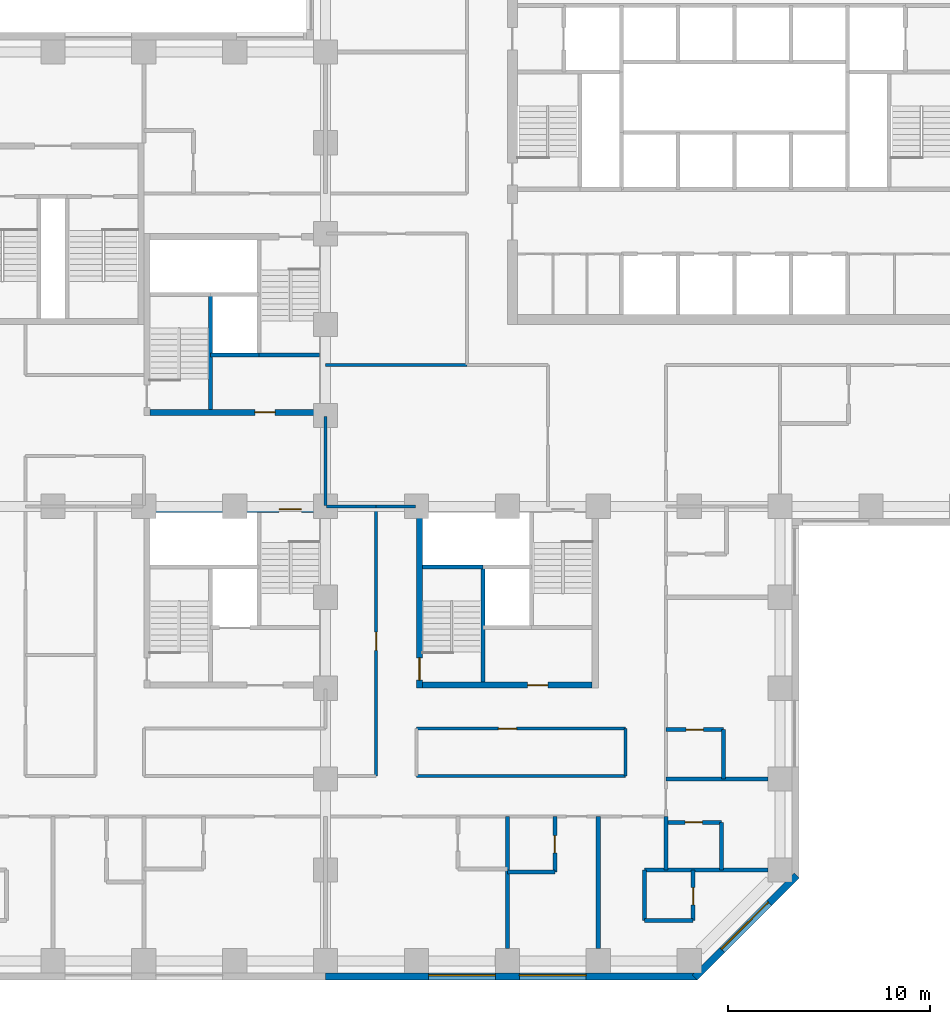
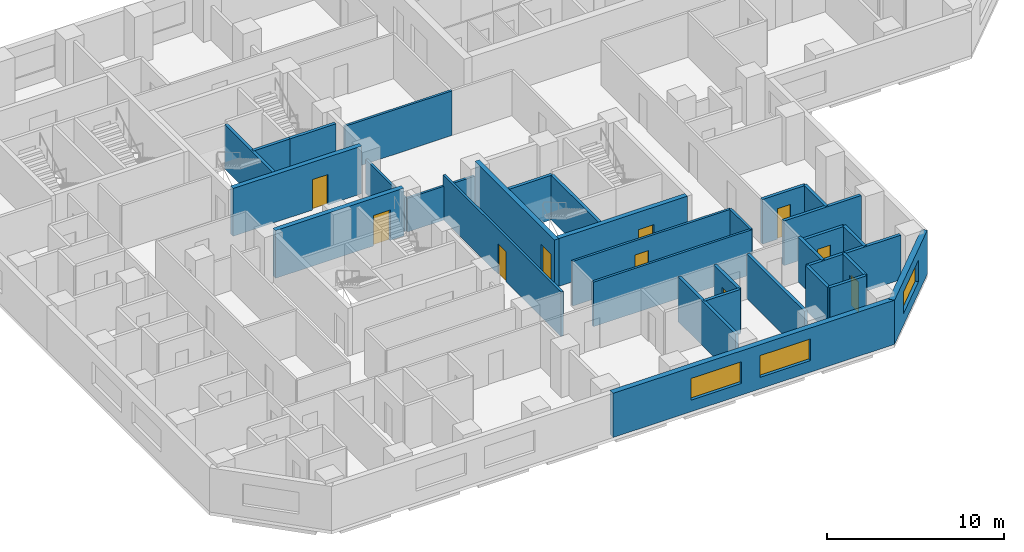
# One storey, part 4 of 12: 33 walls, 10 doors, 3 windows, 13 openings.
"""IFC4 building model written with IfcOpenShell, lengths in metres."""

from ifc_helpers import new_model, si_unit, direction, frame, frame_2d, origin, place, context, subcontext, project, spatial, rectangle, extrude, material, layer, layer_set, constituent, constituent_set, type_object, element, fill, save


model = new_model("IFC4")

# Units and contexts
model_context = context("Model", 3, precision=1e-05, world=origin(), true_north=direction((0.0, 1.0)))
body_context = subcontext(model_context, "Body", "Model", "MODEL_VIEW")
ifc_project = project(units=[si_unit("LENGTHUNIT", "METRE"), si_unit("AREAUNIT", "SQUARE_METRE"), si_unit("VOLUMEUNIT", "CUBIC_METRE"), si_unit("PLANEANGLEUNIT", "RADIAN"), si_unit("MASSUNIT", "GRAM", prefix="KILO")], contexts=[model_context])

# Site, building, storey
site_placement = place(None, origin())
site = spatial("IfcSite", under=ifc_project, at=site_placement, CompositionType="ELEMENT")
building_placement = place(site_placement, origin())
building = spatial("IfcBuilding", under=site, at=building_placement, Name="Quoin Convention Tower", CompositionType="ELEMENT")
storey_placement = place(building_placement, frame((0.0, 0.0, 56.10009765625)))
storey = spatial("IfcBuildingStorey", under=building, at=storey_placement, Name="L14", CompositionType="ELEMENT", Elevation=56.10009765625)

# Wall, openings, windows
ifc_material_1 = material(Name="Brick masonry", Category="masonry")
ifc_layer_1 = layer(ifc_material_1, 0.35009765625)
ifc_layer_set_1 = layer_set([ifc_layer_1], Name="Brick masonry")
wall_type_1 = type_object("IfcWallType", Name="Brick facade wall", PredefinedType="STANDARD", material=ifc_layer_set_1)
wall_1_placement = place(storey_placement, frame((36.0, 17.22509765625, 0.0), z_axis=(0.0, 0.0, 1.0), x_axis=(1.0, 0.0, 0.0)))
wall_1 = element("IfcWall", 1, at=wall_1_placement, inside=storey, type_object=wall_type_1, Name="fw-L14-36000_18000", PredefinedType="STANDARD", context=body_context, shape_type="SweptSolid", body=[
    extrude(rectangle(XDim=18.3935546875, YDim=0.35009765625, at=frame_2d((9.19677734375, 0.0))), origin(), (0.0, 0.0, 1.0), 3.054931640625),
])
opening_1_placement = place(wall_1_placement, frame((5.10009765625, 0.0, 0.800048828125)))
opening_1 = element("IfcOpeningElement", 2, at=opening_1_placement, cuts=wall_1, Name="Opening W-01", PredefinedType="OPENING", context=body_context, shape_type="SweptSolid", body=[
    extrude(rectangle(XDim=3.300048828125, YDim=1.5, at=frame_2d((1.64990234375, 0.75))), frame((0.0, 0.18505859375, 0.0), z_axis=(0.0, -1.0, 0.0), x_axis=(1.0, 0.0, 0.0)), (0.0, 0.0, 1.0), 0.3701171875),
])
opening_2_placement = place(wall_1_placement, frame((9.60009765625, 0.0, 0.800048828125)))
opening_2 = element("IfcOpeningElement", 3, at=opening_2_placement, cuts=wall_1, Name="Opening W-01", PredefinedType="OPENING", context=body_context, shape_type="SweptSolid", body=[
    extrude(rectangle(XDim=3.300048828125, YDim=1.5, at=frame_2d((1.64990234375, 0.75))), frame((0.0, 0.18505859375, 0.0), z_axis=(0.0, -1.0, 0.0), x_axis=(1.0, 0.0, 0.0)), (0.0, 0.0, 1.0), 0.3701171875),
])
ifc_material_2 = material(Name="Aluminium", Category="aluminium")
ifc_constituent_1 = constituent(ifc_material_2, Name="Frame")
ifc_material_3 = material(Name="Insulated glass", Category="glass")
ifc_constituent_2 = constituent(ifc_material_3, Name="Glazing")
ifc_constituent_set = constituent_set(constituents=[ifc_constituent_1, ifc_constituent_2], Name="Aluminium")
window_type = type_object("IfcWindowType", Name="Hotel strip window", PartitioningType="DOUBLE_PANEL_VERTICAL", PredefinedType="WINDOW", material=ifc_constituent_set)
window_1_placement = place(opening_1_placement, origin())
window_1 = element("IfcWindow", 4, at=window_1_placement, inside=storey, type_object=window_type, Name="win-L14-42750_17225", OverallHeight=1.5, OverallWidth=3.300048828125, PartitioningType="SINGLE_PANEL", PredefinedType="WINDOW", context=body_context, shape_type="SweptSolid", body=[
    extrude(rectangle(XDim=3.300048828125, YDim=1.5, at=frame_2d((1.64990234375, 0.75))), frame((0.0, 0.0849609375, 0.0), z_axis=(0.0, -1.0, 0.0), x_axis=(1.0, 0.0, 0.0)), (0.0, 0.0, 1.0), 0.06005859375),
])
fill(opening_1, window_1)
window_2_placement = place(opening_2_placement, origin())
window_2 = element("IfcWindow", 5, at=window_2_placement, inside=storey, type_object=window_type, Name="win-L14-47250_17225", OverallHeight=1.5, OverallWidth=3.300048828125, PartitioningType="SINGLE_PANEL", PredefinedType="WINDOW", context=body_context, shape_type="SweptSolid", body=[
    extrude(rectangle(XDim=3.300048828125, YDim=1.5, at=frame_2d((1.64990234375, 0.75))), frame((0.0, 0.0849609375, 0.0), z_axis=(0.0, -1.0, 0.0), x_axis=(1.0, 0.0, 0.0)), (0.0, 0.0, 1.0), 0.06005859375),
])
fill(opening_2, window_2)

# Wall, opening, window
wall_2_placement = place(storey_placement, frame((54.269775390625, 17.173583984375, 0.0), z_axis=(0.0, 0.0, 1.0), x_axis=(0.707106781187, 0.707106781187, 0.0)))
wall_2 = element("IfcWall", 6, at=wall_2_placement, inside=storey, type_object=wall_type_1, Name="fw-L14-54000_18000", PredefinedType="STANDARD", context=body_context, shape_type="SweptSolid", body=[
    extrude(rectangle(XDim=7.151123046875, YDim=0.35009765625, at=frame_2d((3.57568359375, 0.0))), origin(), (0.0, 0.0, 1.0), 3.054931640625),
])
opening_3_placement = place(wall_2_placement, frame((1.925537109375, 0.0, 0.800048828125)))
opening_3 = element("IfcOpeningElement", 7, at=opening_3_placement, cuts=wall_2, Name="Opening W-01", PredefinedType="OPENING", context=body_context, shape_type="SweptSolid", body=[
    extrude(rectangle(XDim=3.300048828125, YDim=1.5, at=frame_2d((1.64990234375, 0.75))), frame((0.0, 0.18505859375, 0.0), z_axis=(0.0, -1.0, 0.0), x_axis=(1.0, 0.0, 0.0)), (0.0, 0.0, 1.0), 0.3701171875),
])
window_3_placement = place(opening_3_placement, origin())
window_3 = element("IfcWindow", 8, at=window_3_placement, inside=storey, type_object=window_type, Name="win-L14-56798_19702", OverallHeight=1.5, OverallWidth=3.300048828125, PartitioningType="SINGLE_PANEL", PredefinedType="WINDOW", context=body_context, shape_type="SweptSolid", body=[
    extrude(rectangle(XDim=3.300048828125, YDim=1.5, at=frame_2d((1.64990234375, 0.75))), frame((0.0, 0.0849609375, 0.0), z_axis=(0.0, -1.0, 0.0), x_axis=(1.0, 0.0, 0.0)), (0.0, 0.0, 1.0), 0.06005859375),
])
fill(opening_3, window_3)

# Walls
ifc_material_4 = material(Name="Concrete C50", Category="concrete")
ifc_layer_2 = layer(ifc_material_4, 0.199951171875)
ifc_layer_set_2 = layer_set([ifc_layer_2], Name="Concrete C50")
wall_type_2 = type_object("IfcWallType", Name="Core shaft wall", PredefinedType="SOLIDWALL", material=ifc_layer_set_2)
wall_3_placement = place(storey_placement, frame((30.300048828125, 48.0, 0.0), z_axis=(0.0, 0.0, 1.0), x_axis=(1.0, 0.0, 0.0)))
element("IfcWall", 9, at=wall_3_placement, inside=storey, type_object=wall_type_2, Name="cr-P2-L14-h3000_3300", PredefinedType="SOLIDWALL", context=body_context, shape_type="SweptSolid", body=[
    extrude(rectangle(XDim=2.39990234375, YDim=0.199951171875, at=frame_2d((1.199951171875, 0.0))), origin(), (0.0, 0.0, 1.0), 3.079833984375),
])
wall_4_placement = place(storey_placement, frame((32.699951171875, 48.0, 0.0), z_axis=(0.0, 0.0, 1.0), x_axis=(1.0, 0.0, 0.0)))
element("IfcWall", 10, at=wall_4_placement, inside=storey, type_object=wall_type_2, Name="cr-P2-L14-h3000_5700", PredefinedType="SOLIDWALL", context=body_context, shape_type="SweptSolid", body=[
    extrude(rectangle(XDim=3.0, YDim=0.199951171875, at=frame_2d((1.5, 0.0))), origin(), (0.0, 0.0, 1.0), 3.079833984375),
])
wall_5_placement = place(storey_placement, frame((30.300048828125, 45.300048828125, 0.0), z_axis=(0.0, 0.0, 1.0), x_axis=(0.0, 1.0, 0.0)))
element("IfcWall", 11, at=wall_5_placement, inside=storey, type_object=wall_type_2, Name="cr-P2-L14-v3300_300", PredefinedType="SOLIDWALL", context=body_context, shape_type="SweptSolid", body=[
    extrude(rectangle(XDim=5.699951171875, YDim=0.199951171875, at=frame_2d((2.85009765625, 0.0))), origin(), (0.0, 0.0, 1.0), 3.079833984375),
])
wall_6_placement = place(storey_placement, frame((40.800048828125, 37.5, 0.0), z_axis=(0.0, 0.0, 1.0), x_axis=(1.0, 0.0, 0.0)))
element("IfcWall", 12, at=wall_6_placement, inside=storey, type_object=wall_type_2, Name="cr-P3-L14-h6000_300", PredefinedType="SOLIDWALL", context=body_context, shape_type="SweptSolid", body=[
    extrude(rectangle(XDim=3.0, YDim=0.199951171875, at=frame_2d((1.5, 0.0))), origin(), (0.0, 0.0, 1.0), 3.079833984375),
])
wall_7_placement = place(storey_placement, frame((43.800048828125, 31.800048828125, 0.0), z_axis=(0.0, 0.0, 1.0), x_axis=(0.0, 1.0, 0.0)))
element("IfcWall", 13, at=wall_7_placement, inside=storey, type_object=wall_type_2, Name="cr-P3-L14-v3300_300", PredefinedType="SOLIDWALL", context=body_context, shape_type="SweptSolid", body=[
    extrude(rectangle(XDim=5.699951171875, YDim=0.199951171875, at=frame_2d((2.85009765625, 0.0))), origin(), (0.0, 0.0, 1.0), 3.079833984375),
])

# Wall, opening, door
ifc_material_5 = material(Name="Concrete C80", Category="concrete")
ifc_layer_3 = layer(ifc_material_5, 0.300048828125)
ifc_layer_set_3 = layer_set([ifc_layer_3], Name="Concrete C80")
wall_type_3 = type_object("IfcWallType", Name="RC CORE WALL 300 C80", PredefinedType="SHEAR", material=ifc_layer_set_3)
wall_8_placement = place(storey_placement, frame((27.300048828125, 45.14990234375, 0.0), z_axis=(0.0, 0.0, 1.0), x_axis=(1.0, 0.0, 0.0)))
wall_8 = element("IfcWall", 14, at=wall_8_placement, inside=storey, type_object=wall_type_3, Name="cwl-P2-L14-S", PredefinedType="SHEAR", context=body_context, shape_type="SweptSolid", body=[
    extrude(rectangle(XDim=8.39990234375, YDim=0.300048828125, at=frame_2d((4.199951171875, 0.0))), origin(), (0.0, 0.0, 1.0), 3.2998046875),
])
opening_4_placement = place(wall_8_placement, frame((5.199951171875, 0.0, 0.0)))
opening_4 = element("IfcOpeningElement", 15, at=opening_4_placement, cuts=wall_8, Name="Opening DCV5-51", PredefinedType="OPENING", context=body_context, shape_type="SweptSolid", body=[
    extrude(rectangle(XDim=1.0, YDim=2.10009765625, at=frame_2d((0.5, 1.050048828125))), frame((0.0, 0.159912109375, 0.0), z_axis=(0.0, -1.0, 0.0), x_axis=(1.0, 0.0, 0.0)), (0.0, 0.0, 1.0), 0.320068359375),
])
ifc_material_6 = material(Name="Steel door leaf", Category="steel")
door_type_1 = type_object("IfcDoorType", Name="Service door 1000 x 2100", OperationType="SINGLE_SWING_LEFT", PredefinedType="DOOR", material=ifc_material_6)
door_1_placement = place(opening_4_placement, origin())
door_1 = element("IfcDoor", 16, at=door_1_placement, inside=storey, type_object=door_type_1, Name="cd-P2-L14-R2-S", OperationType="SINGLE_SWING_LEFT", OverallHeight=2.10009765625, OverallWidth=1.0, PredefinedType="DOOR", context=body_context, shape_type="SweptSolid", body=[
    extrude(rectangle(XDim=1.0, YDim=2.10009765625, at=frame_2d((0.5, 1.050048828125))), frame((0.0, 0.02490234375, 0.0), z_axis=(0.0, -1.0, 0.0), x_axis=(1.0, 0.0, 0.0)), (0.0, 0.0, 1.0), 0.050048828125),
])
fill(opening_4, door_1)

wall_9_placement = place(storey_placement, frame((40.800048828125, 31.64990234375, 0.0), z_axis=(0.0, 0.0, 1.0), x_axis=(1.0, 0.0, 0.0)))
wall_9 = element("IfcWall", 17, at=wall_9_placement, inside=storey, type_object=wall_type_3, Name="cwl-P3-L14-S", PredefinedType="SHEAR", context=body_context, shape_type="SweptSolid", body=[
    extrude(rectangle(XDim=8.39990234375, YDim=0.300048828125, at=frame_2d((4.199951171875, 0.0))), origin(), (0.0, 0.0, 1.0), 3.2998046875),
])
opening_5_placement = place(wall_9_placement, frame((5.199951171875, 0.0, 0.0)))
opening_5 = element("IfcOpeningElement", 18, at=opening_5_placement, cuts=wall_9, Name="Opening DCV5-52", PredefinedType="OPENING", context=body_context, shape_type="SweptSolid", body=[
    extrude(rectangle(XDim=1.0, YDim=2.10009765625, at=frame_2d((0.5, 1.050048828125))), frame((0.0, 0.159912109375, 0.0), z_axis=(0.0, -1.0, 0.0), x_axis=(1.0, 0.0, 0.0)), (0.0, 0.0, 1.0), 0.320068359375),
])
door_2_placement = place(opening_5_placement, origin())
door_2 = element("IfcDoor", 19, at=door_2_placement, inside=storey, type_object=door_type_1, Name="cd-P3-L14-R2-S", OperationType="SINGLE_SWING_LEFT", OverallHeight=2.10009765625, OverallWidth=1.0, PredefinedType="DOOR", context=body_context, shape_type="SweptSolid", body=[
    extrude(rectangle(XDim=1.0, YDim=2.10009765625, at=frame_2d((0.5, 1.050048828125))), frame((0.0, 0.02490234375, 0.0), z_axis=(0.0, -1.0, 0.0), x_axis=(1.0, 0.0, 0.0)), (0.0, 0.0, 1.0), 0.050048828125),
])
fill(opening_5, door_2)

wall_10_placement = place(storey_placement, frame((40.64990234375, 31.5, 0.0), z_axis=(0.0, 0.0, 1.0), x_axis=(0.0, 1.0, 0.0)))
wall_10 = element("IfcWall", 20, at=wall_10_placement, inside=storey, type_object=wall_type_3, Name="cwl-P3-L14-W", PredefinedType="SHEAR", context=body_context, shape_type="SweptSolid", body=[
    extrude(rectangle(XDim=9.0, YDim=0.300048828125, at=frame_2d((4.5, 0.0))), origin(), (0.0, 0.0, 1.0), 3.2998046875),
])
opening_6_placement = place(wall_10_placement, frame((0.39990234375, 0.0, 0.0)))
opening_6 = element("IfcOpeningElement", 21, at=opening_6_placement, cuts=wall_10, Name="Opening SD5", PredefinedType="OPENING", context=body_context, shape_type="SweptSolid", body=[
    extrude(rectangle(XDim=1.10009765625, YDim=2.10009765625, at=frame_2d((0.550048828125, 1.050048828125))), frame((0.0, 0.159912109375, 0.0), z_axis=(0.0, -1.0, 0.0), x_axis=(1.0, 0.0, 0.0)), (0.0, 0.0, 1.0), 0.320068359375),
])
door_type_2 = type_object("IfcDoorType", Name="Stair door 1100 x 2100", OperationType="SINGLE_SWING_RIGHT", PredefinedType="DOOR", material=ifc_material_6)
door_3_placement = place(opening_6_placement, frame((1.10009765625, 0.0, 0.0), z_axis=(0.0, 0.0, 1.0), x_axis=(-1.0, 0.0, 0.0)))
door_3 = element("IfcDoor", 22, at=door_3_placement, inside=storey, type_object=door_type_2, Name="cd-P3-L14-SA-W", OperationType="SINGLE_SWING_RIGHT", OverallHeight=2.10009765625, OverallWidth=1.10009765625, PredefinedType="DOOR", context=body_context, shape_type="SweptSolid", body=[
    extrude(rectangle(XDim=1.10009765625, YDim=2.10009765625, at=frame_2d((0.550048828125, 1.050048828125))), frame((0.0, 0.02490234375, 0.0), z_axis=(0.0, -1.0, 0.0), x_axis=(1.0, 0.0, 0.0)), (0.0, 0.0, 1.0), 0.050048828125),
])
fill(opening_6, door_3)

wall_11_placement = place(storey_placement, frame((27.300048828125, 40.35009765625, 0.0), z_axis=(0.0, 0.0, 1.0), x_axis=(1.0, 0.0, 0.0)))
wall_11 = element("IfcWall", 23, at=wall_11_placement, inside=storey, type_object=wall_type_3, Name="cwl-P4-L14-N", PredefinedType="SHEAR", context=body_context, shape_type="SweptSolid", body=[
    extrude(rectangle(XDim=8.39990234375, YDim=0.300048828125, at=frame_2d((4.199951171875, 0.0))), origin(), (0.0, 0.0, 1.0), 3.2998046875),
])
opening_7_placement = place(wall_11_placement, frame((6.39990234375, 0.0, 0.0)))
opening_7 = element("IfcOpeningElement", 24, at=opening_7_placement, cuts=wall_11, Name="Opening SD8", PredefinedType="OPENING", context=body_context, shape_type="SweptSolid", body=[
    extrude(rectangle(XDim=1.10009765625, YDim=2.10009765625, at=frame_2d((0.550048828125, 1.050048828125))), frame((0.0, 0.159912109375, 0.0), z_axis=(0.0, -1.0, 0.0), x_axis=(1.0, 0.0, 0.0)), (0.0, 0.0, 1.0), 0.320068359375),
])
door_4_placement = place(opening_7_placement, frame((1.10009765625, 0.0, 0.0), z_axis=(0.0, 0.0, 1.0), x_axis=(-1.0, 0.0, 0.0)))
door_4 = element("IfcDoor", 25, at=door_4_placement, inside=storey, type_object=door_type_2, Name="cd-P4-L14-SB-N", OperationType="SINGLE_SWING_LEFT", OverallHeight=2.10009765625, OverallWidth=1.10009765625, PredefinedType="DOOR", context=body_context, shape_type="SweptSolid", body=[
    extrude(rectangle(XDim=1.10009765625, YDim=2.10009765625, at=frame_2d((0.550048828125, 1.050048828125))), frame((0.0, 0.02490234375, 0.0), z_axis=(0.0, -1.0, 0.0), x_axis=(1.0, 0.0, 0.0)), (0.0, 0.0, 1.0), 0.050048828125),
])
fill(opening_7, door_4)

# Walls
ifc_layer_4 = layer(ifc_material_4, 0.199951171875)
ifc_layer_set_4 = layer_set([ifc_layer_4], Name="Concrete C50")
wall_type_4 = type_object("IfcWallType", Name="RC party wall", PredefinedType="SOLIDWALL", material=ifc_layer_set_4)
for number, where, z_axis, x_axis, name in (
    (26, (45.0, 18.60009765625, 0.0), (0.0, 0.0, 1.0), (0.0, 1.0, 0.0), "pw-L14-038"),
    (27, (49.5, 18.60009765625, 0.0), (0.0, 0.0, 1.0), (0.0, 1.0, 0.0), "pw-L14-039"),
):
    element("IfcWall", number, at=place(storey_placement, frame(where, z_axis=z_axis, x_axis=x_axis)), inside=storey, type_object=wall_type_4, Name=name, PredefinedType="SOLIDWALL", context=body_context, shape_type="SweptSolid", body=[
        extrude(rectangle(XDim=6.5498046875, YDim=0.199951171875, at=frame_2d((3.27490234375, 0.0))), origin(), (0.0, 0.0, 1.0), 3.079833984375),
    ])
wall_12_placement = place(storey_placement, frame((51.800048828125, 20.0, 0.0), z_axis=(0.0, 0.0, 1.0), x_axis=(1.0, 0.0, 0.0)))
element("IfcWall", 28, at=wall_12_placement, inside=storey, type_object=wall_type_4, Name="pw-L14-043", PredefinedType="SOLIDWALL", context=body_context, shape_type="SweptSolid", body=[
    extrude(rectangle(XDim=2.39990234375, YDim=0.199951171875, at=frame_2d((1.199951171875, 0.0))), origin(), (0.0, 0.0, 1.0), 3.079833984375),
])
wall_13_placement = place(storey_placement, frame((51.800048828125, 20.0, 0.0), z_axis=(0.0, 0.0, 1.0), x_axis=(0.0, 1.0, 0.0)))
element("IfcWall", 29, at=wall_13_placement, inside=storey, type_object=wall_type_4, Name="pw-L14-044", PredefinedType="SOLIDWALL", context=body_context, shape_type="SweptSolid", body=[
    extrude(rectangle(XDim=2.5, YDim=0.199951171875, at=frame_2d((1.25, 0.0))), origin(), (0.0, 0.0, 1.0), 3.079833984375),
])

# Wall, opening, door
wall_14_placement = place(storey_placement, frame((54.199951171875, 20.0, 0.0), z_axis=(0.0, 0.0, 1.0), x_axis=(0.0, 1.0, 0.0)))
wall_14 = element("IfcWall", 30, at=wall_14_placement, inside=storey, type_object=wall_type_4, Name="pw-L14-045", PredefinedType="SOLIDWALL", context=body_context, shape_type="SweptSolid", body=[
    extrude(rectangle(XDim=2.5, YDim=0.199951171875, at=frame_2d((1.25, 0.0))), origin(), (0.0, 0.0, 1.0), 3.079833984375),
])
opening_8_placement = place(wall_14_placement, frame((0.77490234375, 0.0, 0.0)))
opening_8 = element("IfcOpeningElement", 31, at=opening_8_placement, cuts=wall_14, Name="Opening DHOTEL-C-43", PredefinedType="OPENING", context=body_context, shape_type="SweptSolid", body=[
    extrude(rectangle(XDim=0.85009765625, YDim=2.10009765625, at=frame_2d((0.425048828125, 1.050048828125))), frame((0.0, 0.10986328125, 0.0), z_axis=(0.0, -1.0, 0.0), x_axis=(1.0, 0.0, 0.0)), (0.0, 0.0, 1.0), 0.219970703125),
])
door_type_3 = type_object("IfcDoorType", Name="Bathroom door", OperationType="SINGLE_SWING_LEFT", PredefinedType="DOOR", material=ifc_material_6)
door_5_placement = place(opening_8_placement, frame((0.85009765625, 0.0, 0.0), z_axis=(0.0, 0.0, 1.0), x_axis=(-1.0, 0.0, 0.0)))
door_5 = element("IfcDoor", 32, at=door_5_placement, inside=storey, type_object=door_type_3, Name="dr-L14-062", OperationType="SINGLE_SWING_LEFT", OverallHeight=2.10009765625, OverallWidth=0.85009765625, PredefinedType="DOOR", context=body_context, shape_type="SweptSolid", body=[
    extrude(rectangle(XDim=0.85009765625, YDim=2.10009765625, at=frame_2d((0.425048828125, 1.050048828125))), frame((0.0, 0.02490234375, 0.0), z_axis=(0.0, -1.0, 0.0), x_axis=(1.0, 0.0, 0.0)), (0.0, 0.0, 1.0), 0.050048828125),
])
fill(opening_8, door_5)

# Wall
wall_15_placement = place(storey_placement, frame((45.0, 22.39990234375, 0.0), z_axis=(0.0, 0.0, 1.0), x_axis=(1.0, 0.0, 0.0)))
element("IfcWall", 33, at=wall_15_placement, inside=storey, type_object=wall_type_4, Name="pw-L14-048", PredefinedType="SOLIDWALL", context=body_context, shape_type="SweptSolid", body=[
    extrude(rectangle(XDim=2.35009765625, YDim=0.199951171875, at=frame_2d((1.175048828125, 0.0))), origin(), (0.0, 0.0, 1.0), 3.079833984375),
])

# Wall, opening, door
wall_16_placement = place(storey_placement, frame((47.35009765625, 22.39990234375, 0.0), z_axis=(0.0, 0.0, 1.0), x_axis=(0.0, 1.0, 0.0)))
wall_16 = element("IfcWall", 34, at=wall_16_placement, inside=storey, type_object=wall_type_4, Name="pw-L14-049", PredefinedType="SOLIDWALL", context=body_context, shape_type="SweptSolid", body=[
    extrude(rectangle(XDim=2.75, YDim=0.199951171875, at=frame_2d((1.375, 0.0))), origin(), (0.0, 0.0, 1.0), 3.079833984375),
])
opening_9_placement = place(wall_16_placement, frame((0.949951171875, 0.0, 0.0)))
opening_9 = element("IfcOpeningElement", 35, at=opening_9_placement, cuts=wall_16, Name="Opening DHOTEL-C-45", PredefinedType="OPENING", context=body_context, shape_type="SweptSolid", body=[
    extrude(rectangle(XDim=0.85009765625, YDim=2.10009765625, at=frame_2d((0.425048828125, 1.050048828125))), frame((0.0, 0.10986328125, 0.0), z_axis=(0.0, -1.0, 0.0), x_axis=(1.0, 0.0, 0.0)), (0.0, 0.0, 1.0), 0.219970703125),
])
door_6_placement = place(opening_9_placement, frame((0.85009765625, 0.0, 0.0), z_axis=(0.0, 0.0, 1.0), x_axis=(-1.0, 0.0, 0.0)))
door_6 = element("IfcDoor", 36, at=door_6_placement, inside=storey, type_object=door_type_3, Name="dr-L14-008", OperationType="SINGLE_SWING_LEFT", OverallHeight=2.10009765625, OverallWidth=0.85009765625, PredefinedType="DOOR", context=body_context, shape_type="SweptSolid", body=[
    extrude(rectangle(XDim=0.85009765625, YDim=2.10009765625, at=frame_2d((0.425048828125, 1.050048828125))), frame((0.0, 0.02490234375, 0.0), z_axis=(0.0, -1.0, 0.0), x_axis=(1.0, 0.0, 0.0)), (0.0, 0.0, 1.0), 0.050048828125),
])
fill(opening_9, door_6)

# Walls
wall_17_placement = place(storey_placement, frame((51.800048828125, 22.5, 0.0), z_axis=(0.0, 0.0, 1.0), x_axis=(1.0, 0.0, 0.0)))
element("IfcWall", 37, at=wall_17_placement, inside=storey, type_object=wall_type_4, Name="pw-L14-053", PredefinedType="SOLIDWALL", context=body_context, shape_type="SweptSolid", body=[
    extrude(rectangle(XDim=6.099853515625, YDim=0.199951171875, at=frame_2d((3.0498046875, 0.0))), origin(), (0.0, 0.0, 1.0), 3.079833984375),
])
wall_18_placement = place(storey_placement, frame((52.85009765625, 22.5, 0.0), z_axis=(0.0, 0.0, 1.0), x_axis=(0.0, 1.0, 0.0)))
element("IfcWall", 38, at=wall_18_placement, inside=storey, type_object=wall_type_4, Name="pw-L14-054", PredefinedType="SOLIDWALL", context=body_context, shape_type="SweptSolid", body=[
    extrude(rectangle(XDim=2.64990234375, YDim=0.199951171875, at=frame_2d((1.324951171875, 0.0))), origin(), (0.0, 0.0, 1.0), 3.079833984375),
])
wall_19_placement = place(storey_placement, frame((55.60009765625, 22.5, 0.0), z_axis=(0.0, 0.0, 1.0), x_axis=(0.0, 1.0, 0.0)))
element("IfcWall", 39, at=wall_19_placement, inside=storey, type_object=wall_type_4, Name="pw-L14-055", PredefinedType="SOLIDWALL", context=body_context, shape_type="SweptSolid", body=[
    extrude(rectangle(XDim=2.35009765625, YDim=0.199951171875, at=frame_2d((1.175048828125, 0.0))), origin(), (0.0, 0.0, 1.0), 3.079833984375),
])

# Wall, opening, door
wall_20_placement = place(storey_placement, frame((52.85009765625, 24.85009765625, 0.0), z_axis=(0.0, 0.0, 1.0), x_axis=(1.0, 0.0, 0.0)))
wall_20 = element("IfcWall", 40, at=wall_20_placement, inside=storey, type_object=wall_type_4, Name="pw-L14-061", PredefinedType="SOLIDWALL", context=body_context, shape_type="SweptSolid", body=[
    extrude(rectangle(XDim=2.75, YDim=0.199951171875, at=frame_2d((1.375, 0.0))), origin(), (0.0, 0.0, 1.0), 3.079833984375),
])
opening_10_placement = place(wall_20_placement, frame((0.949951171875, 0.0, 0.0)))
opening_10 = element("IfcOpeningElement", 41, at=opening_10_placement, cuts=wall_20, Name="Opening DHOTEL-C-49", PredefinedType="OPENING", context=body_context, shape_type="SweptSolid", body=[
    extrude(rectangle(XDim=0.85009765625, YDim=2.10009765625, at=frame_2d((0.425048828125, 1.050048828125))), frame((0.0, 0.10986328125, 0.0), z_axis=(0.0, -1.0, 0.0), x_axis=(1.0, 0.0, 0.0)), (0.0, 0.0, 1.0), 0.219970703125),
])
door_7_placement = place(opening_10_placement, origin())
door_7 = element("IfcDoor", 42, at=door_7_placement, inside=storey, type_object=door_type_3, Name="dr-L14-024", OperationType="SINGLE_SWING_RIGHT", OverallHeight=2.10009765625, OverallWidth=0.85009765625, PredefinedType="DOOR", context=body_context, shape_type="SweptSolid", body=[
    extrude(rectangle(XDim=0.85009765625, YDim=2.10009765625, at=frame_2d((0.425048828125, 1.050048828125))), frame((0.0, 0.02490234375, 0.0), z_axis=(0.0, -1.0, 0.0), x_axis=(1.0, 0.0, 0.0)), (0.0, 0.0, 1.0), 0.050048828125),
])
fill(opening_10, door_7)

# Walls
wall_21_placement = place(storey_placement, frame((52.85009765625, 27.0, 0.0), z_axis=(0.0, 0.0, 1.0), x_axis=(1.0, 0.0, 0.0)))
element("IfcWall", 43, at=wall_21_placement, inside=storey, type_object=wall_type_4, Name="pw-L14-064", PredefinedType="SOLIDWALL", context=body_context, shape_type="SweptSolid", body=[
    extrude(rectangle(XDim=5.0498046875, YDim=0.199951171875, at=frame_2d((2.52490234375, 0.0))), origin(), (0.0, 0.0, 1.0), 3.079833984375),
])
wall_22_placement = place(storey_placement, frame((55.699951171875, 27.0, 0.0), z_axis=(0.0, 0.0, 1.0), x_axis=(0.0, 1.0, 0.0)))
element("IfcWall", 44, at=wall_22_placement, inside=storey, type_object=wall_type_4, Name="pw-L14-065", PredefinedType="SOLIDWALL", context=body_context, shape_type="SweptSolid", body=[
    extrude(rectangle(XDim=2.449951171875, YDim=0.199951171875, at=frame_2d((1.22509765625, 0.0))), origin(), (0.0, 0.0, 1.0), 3.079833984375),
])

# Wall, opening, door
wall_23_placement = place(storey_placement, frame((52.85009765625, 29.449951171875, 0.0), z_axis=(0.0, 0.0, 1.0), x_axis=(1.0, 0.0, 0.0)))
wall_23 = element("IfcWall", 45, at=wall_23_placement, inside=storey, type_object=wall_type_4, Name="pw-L14-067", PredefinedType="SOLIDWALL", context=body_context, shape_type="SweptSolid", body=[
    extrude(rectangle(XDim=2.849853515625, YDim=0.199951171875, at=frame_2d((1.4248046875, 0.0))), origin(), (0.0, 0.0, 1.0), 3.079833984375),
])
opening_11_placement = place(wall_23_placement, frame((1.0, 0.0, 0.0)))
opening_11 = element("IfcOpeningElement", 46, at=opening_11_placement, cuts=wall_23, Name="Opening DHOTEL-C-51", PredefinedType="OPENING", context=body_context, shape_type="SweptSolid", body=[
    extrude(rectangle(XDim=0.85009765625, YDim=2.10009765625, at=frame_2d((0.425048828125, 1.050048828125))), frame((0.0, 0.10986328125, 0.0), z_axis=(0.0, -1.0, 0.0), x_axis=(1.0, 0.0, 0.0)), (0.0, 0.0, 1.0), 0.219970703125),
])
door_8_placement = place(opening_11_placement, origin())
door_8 = element("IfcDoor", 47, at=door_8_placement, inside=storey, type_object=door_type_3, Name="dr-L14-026", OperationType="SINGLE_SWING_LEFT", OverallHeight=2.10009765625, OverallWidth=0.85009765625, PredefinedType="DOOR", context=body_context, shape_type="SweptSolid", body=[
    extrude(rectangle(XDim=0.85009765625, YDim=2.10009765625, at=frame_2d((0.425048828125, 1.050048828125))), frame((0.0, 0.02490234375, 0.0), z_axis=(0.0, -1.0, 0.0), x_axis=(1.0, 0.0, 0.0)), (0.0, 0.0, 1.0), 0.050048828125),
])
fill(opening_11, door_8)

ifc_material_7 = material(Name="Plasterboard")
ifc_layer_5 = layer(ifc_material_7, 0.012451171875, Name="Finish")
ifc_material_8 = material(Name="Steel stud framing", Category="steel")
ifc_layer_6 = layer(ifc_material_8, 0.125, Name="Structure")
ifc_layer_7 = layer(ifc_material_7, 0.012451171875, Name="Finish")
ifc_layer_set_5 = layer_set([ifc_layer_5, ifc_layer_6, ifc_layer_7], Name="Steel stud framing")
wall_type_5 = type_object("IfcWallType", Name="corridor partition", PredefinedType="PARTITIONING", material=ifc_layer_set_5)
wall_24_placement = place(storey_placement, frame((38.5, 27.14990234375, 0.0), z_axis=(0.0, 0.0, 1.0), x_axis=(0.0, 1.0, 0.0)))
wall_24 = element("IfcWall", 48, at=wall_24_placement, inside=storey, type_object=wall_type_5, Name="pw-L14-011", PredefinedType="PARTITIONING", context=body_context, shape_type="SweptSolid", body=[
    extrude(rectangle(XDim=13.35009765625, YDim=0.14990234375, at=frame_2d((6.675048828125, 0.0))), origin(), (0.0, 0.0, 1.0), 3.079833984375),
])
opening_12_placement = place(wall_24_placement, frame((6.22509765625, 0.0, 0.0)))
opening_12 = element("IfcOpeningElement", 49, at=opening_12_placement, cuts=wall_24, Name="Opening DHOTEL-C-19", PredefinedType="OPENING", context=body_context, shape_type="SweptSolid", body=[
    extrude(rectangle(XDim=0.89990234375, YDim=2.10009765625, at=frame_2d((0.449951171875, 1.050048828125))), frame((0.0, 0.0849609375, 0.0), z_axis=(0.0, -1.0, 0.0), x_axis=(1.0, 0.0, 0.0)), (0.0, 0.0, 1.0), 0.169921875),
])
door_type_4 = type_object("IfcDoorType", Name="Single room door", OperationType="SINGLE_SWING_RIGHT", PredefinedType="DOOR", material=ifc_material_6)
door_9_placement = place(opening_12_placement, origin())
door_9 = element("IfcDoor", 50, at=door_9_placement, inside=storey, type_object=door_type_4, Name="dr-L14-073", OperationType="SINGLE_SWING_RIGHT", OverallHeight=2.10009765625, OverallWidth=0.89990234375, PredefinedType="DOOR", context=body_context, shape_type="SweptSolid", body=[
    extrude(rectangle(XDim=0.89990234375, YDim=2.10009765625, at=frame_2d((0.449951171875, 1.050048828125))), frame((0.0, 0.02490234375, 0.0), z_axis=(0.0, -1.0, 0.0), x_axis=(1.0, 0.0, 0.0)), (0.0, 0.0, 1.0), 0.050048828125),
])
fill(opening_12, door_9)

# Walls
wall_25_placement = place(storey_placement, frame((40.5, 27.14990234375, 0.0), z_axis=(0.0, 0.0, 1.0), x_axis=(1.0, 0.0, 0.0)))
element("IfcWall", 51, at=wall_25_placement, inside=storey, type_object=wall_type_5, Name="pw-L14-012", PredefinedType="PARTITIONING", context=body_context, shape_type="SweptSolid", body=[
    extrude(rectangle(XDim=10.35009765625, YDim=0.14990234375, at=frame_2d((5.175048828125, 0.0))), origin(), (0.0, 0.0, 1.0), 3.079833984375),
])
wall_26_placement = place(storey_placement, frame((50.85009765625, 27.14990234375, 0.0), z_axis=(0.0, 0.0, 1.0), x_axis=(0.0, 1.0, 0.0)))
element("IfcWall", 52, at=wall_26_placement, inside=storey, type_object=wall_type_5, Name="pw-L14-014", PredefinedType="PARTITIONING", context=body_context, shape_type="SweptSolid", body=[
    extrude(rectangle(XDim=2.35009765625, YDim=0.14990234375, at=frame_2d((1.175048828125, 0.0))), origin(), (0.0, 0.0, 1.0), 3.079833984375),
])

# Wall, opening, door
wall_27_placement = place(storey_placement, frame((40.5, 29.5, 0.0), z_axis=(0.0, 0.0, 1.0), x_axis=(1.0, 0.0, 0.0)))
wall_27 = element("IfcWall", 53, at=wall_27_placement, inside=storey, type_object=wall_type_5, Name="pw-L14-017", PredefinedType="PARTITIONING", context=body_context, shape_type="SweptSolid", body=[
    extrude(rectangle(XDim=10.35009765625, YDim=0.14990234375, at=frame_2d((5.175048828125, 0.0))), origin(), (0.0, 0.0, 1.0), 3.079833984375),
])
opening_13_placement = place(wall_27_placement, frame((4.06005859375, 0.0, 0.0)))
opening_13 = element("IfcOpeningElement", 54, at=opening_13_placement, cuts=wall_27, Name="Opening DHOTEL-C-20", PredefinedType="OPENING", context=body_context, shape_type="SweptSolid", body=[
    extrude(rectangle(XDim=0.89990234375, YDim=2.10009765625, at=frame_2d((0.449951171875, 1.050048828125))), frame((0.0, 0.0849609375, 0.0), z_axis=(0.0, -1.0, 0.0), x_axis=(1.0, 0.0, 0.0)), (0.0, 0.0, 1.0), 0.169921875),
])
door_10_placement = place(opening_13_placement, frame((0.89990234375, 0.0, 0.0), z_axis=(0.0, 0.0, 1.0), x_axis=(-1.0, 0.0, 0.0)))
door_10 = element("IfcDoor", 55, at=door_10_placement, inside=storey, type_object=door_type_4, Name="dr-L14-w02", OperationType="SINGLE_SWING_RIGHT", OverallHeight=2.10009765625, OverallWidth=0.89990234375, PredefinedType="DOOR", context=body_context, shape_type="SweptSolid", body=[
    extrude(rectangle(XDim=0.89990234375, YDim=2.10009765625, at=frame_2d((0.449951171875, 1.050048828125))), frame((0.0, 0.02490234375, 0.0), z_axis=(0.0, -1.0, 0.0), x_axis=(1.0, 0.0, 0.0)), (0.0, 0.0, 1.0), 0.050048828125),
])
fill(opening_13, door_10)

# Walls
ifc_layer_8 = layer(ifc_material_7, 0.012451171875, Name="Finish")
ifc_layer_9 = layer(ifc_material_8, 0.125, Name="Structure")
ifc_layer_10 = layer(ifc_material_7, 0.012451171875, Name="Finish")
ifc_layer_set_6 = layer_set([ifc_layer_8, ifc_layer_9, ifc_layer_10], Name="Steel stud framing")
wall_type_6 = type_object("IfcWallType", Name="corridor partition under beam 750", PredefinedType="PARTITIONING", material=ifc_layer_set_6)
wall_28_placement = place(storey_placement, frame((38.5, 40.5, 0.0), z_axis=(0.0, 0.0, 1.0), x_axis=(1.0, 0.0, 0.0)))
element("IfcWall", 56, at=wall_28_placement, inside=storey, type_object=wall_type_6, Name="pw-L14-019", PredefinedType="PARTITIONING", context=body_context, shape_type="SweptSolid", body=[
    extrude(rectangle(XDim=1.949951171875, YDim=0.14990234375, at=frame_2d((0.97509765625, 0.0))), origin(), (0.0, 0.0, 1.0), 2.329833984375),
])
wall_29_placement = place(storey_placement, frame((36.0, 40.550048828125, 0.0), z_axis=(0.0, 0.0, 1.0), x_axis=(0.0, 1.0, 0.0)))
element("IfcWall", 57, at=wall_29_placement, inside=storey, type_object=wall_type_6, Name="pw-L14-021", PredefinedType="PARTITIONING", context=body_context, shape_type="SweptSolid", body=[
    extrude(rectangle(XDim=4.39990234375, YDim=0.14990234375, at=frame_2d((2.199951171875, 0.0))), origin(), (0.0, 0.0, 1.0), 2.329833984375),
])
ifc_layer_11 = layer(ifc_material_7, 0.012451171875, Name="Finish")
ifc_layer_12 = layer(ifc_material_8, 0.125, Name="Structure")
ifc_layer_13 = layer(ifc_material_7, 0.012451171875, Name="Finish")
ifc_layer_set_7 = layer_set([ifc_layer_11, ifc_layer_12, ifc_layer_13], Name="Steel stud framing")
wall_type_7 = type_object("IfcWallType", Name="room partition", PredefinedType="PARTITIONING", material=ifc_layer_set_7)
wall_30_placement = place(storey_placement, frame((36.0, 47.5, 0.0), z_axis=(0.0, 0.0, 1.0), x_axis=(1.0, 0.0, 0.0)))
element("IfcWall", 58, at=wall_30_placement, inside=storey, type_object=wall_type_7, Name="pw-L14-161", PredefinedType="PARTITIONING", context=body_context, shape_type="SweptSolid", body=[
    extrude(rectangle(XDim=7.0, YDim=0.14990234375, at=frame_2d((3.5, 0.0))), origin(), (0.0, 0.0, 1.0), 3.079833984375),
])
ifc_layer_14 = layer(ifc_material_7, 0.012451171875, Name="Finish")
ifc_layer_15 = layer(ifc_material_8, 0.125, Name="Structure")
ifc_layer_16 = layer(ifc_material_7, 0.012451171875, Name="Finish")
ifc_layer_set_8 = layer_set([ifc_layer_14, ifc_layer_15, ifc_layer_16], Name="Steel stud framing")
wall_type_8 = type_object("IfcWallType", Name="room partition under beam 750", PredefinedType="PARTITIONING", material=ifc_layer_set_8)
wall_31_placement = place(storey_placement, frame((36.050048828125, 40.5, 0.0), z_axis=(0.0, 0.0, 1.0), x_axis=(1.0, 0.0, 0.0)))
element("IfcWall", 59, at=wall_31_placement, inside=storey, type_object=wall_type_8, Name="pw-L14-156", PredefinedType="PARTITIONING", context=body_context, shape_type="SweptSolid", body=[
    extrude(rectangle(XDim=2.449951171875, YDim=0.14990234375, at=frame_2d((1.22509765625, 0.0))), origin(), (0.0, 0.0, 1.0), 2.329833984375),
])

save(model, "model.ifc")
